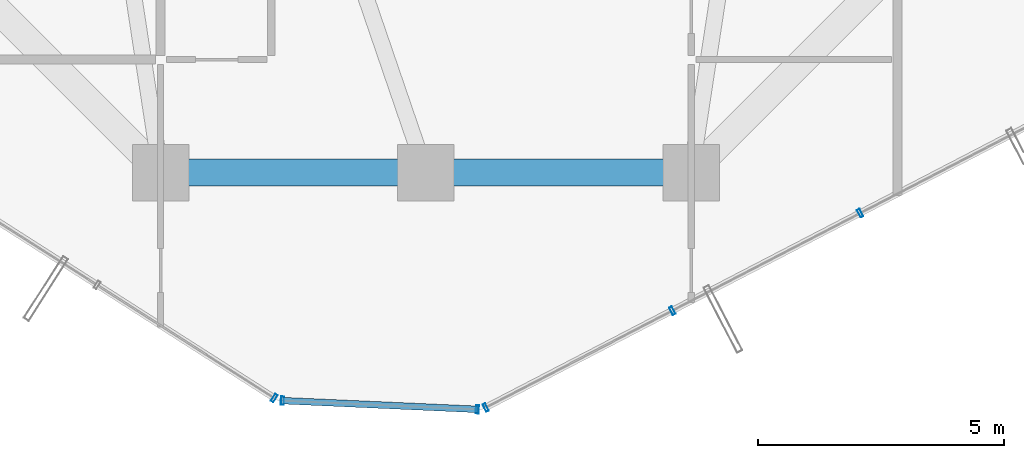
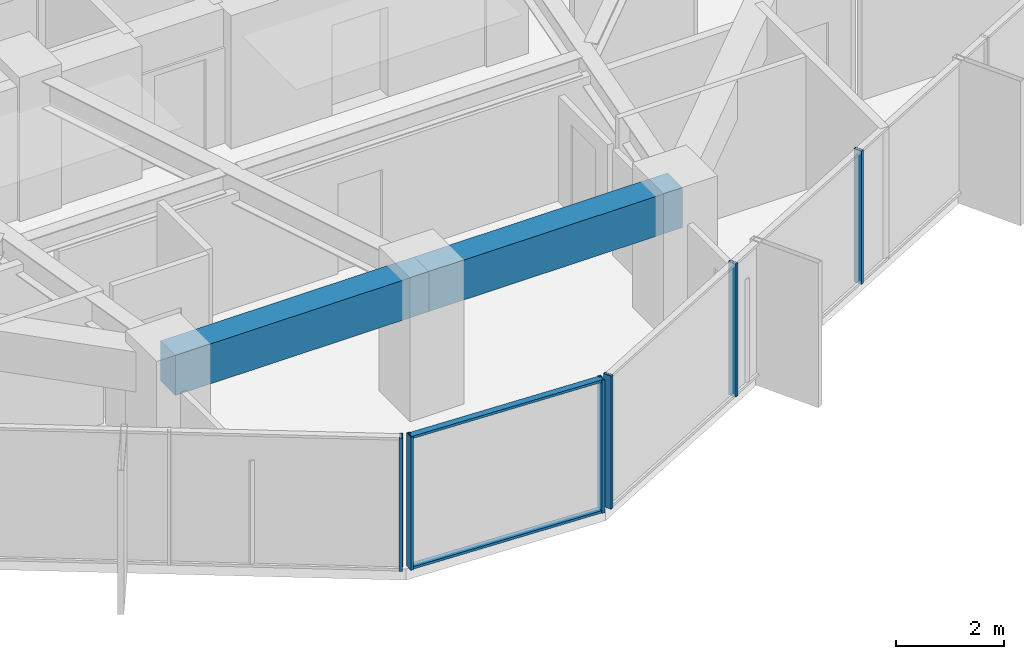
# One storey, part 6 of 30: 8 members, 2 beams, 3 elements without a shape of their own.
"""IFC4 building model written with IfcOpenShell, lengths in metres."""

import ifcopenshell
import ifcopenshell.guid

model = None  # the IFC model being written
_history = None  # IfcOwnerHistory: only IFC2X3 demands one
_inside = {}  # id of a spatial element -> (the spatial element, [elements in it])
_under = {}  # id of a project, library or spatial element -> (it, [spatial elements below it])
_declared = {}  # id of a project -> (the project, [libraries it declares])
_typed = {}  # id of a type object -> (the type object, [elements of that type])
_made_of = {}  # id of a material, layer set ... -> (it, [elements and type objects made of it])


def new_model(schema):
    """Start an empty IFC model of exactly this schema.

    Asked for "IFC4X3", IfcOpenShell would pick the latest addendum, in which some entities
    have other attributes; the version numbers below select the first issue.
    IFC2X3 requires an IfcOwnerHistory on every rooted entity: one is made here for all.
    """
    global model, _history
    if schema == "IFC4X3":
        model = ifcopenshell.file(schema_version=(4, 3, 0, 0))
    else:
        model = ifcopenshell.file(schema=schema)
    _inside.clear()
    _under.clear()
    _declared.clear()
    _typed.clear()
    _made_of.clear()
    _history = None
    if model.schema == "IFC2X3":
        org = make("IfcOrganization", Name="unknown")
        user = make(
            "IfcPersonAndOrganization",
            ThePerson=make("IfcPerson", FamilyName="unknown"),
            TheOrganization=org,
        )
        app = make(
            "IfcApplication",
            ApplicationDeveloper=org,
            Version="unknown",
            ApplicationFullName="unknown",
            ApplicationIdentifier="unknown",
        )
        _history = make(
            "IfcOwnerHistory",
            OwningUser=user,
            OwningApplication=app,
            ChangeAction="ADDED",
            CreationDate=0,
        )
    return model


def make(cls, **values):
    """One entity of the class cls with the attributes given. An attribute that is None is left unset."""
    return model.create_entity(
        cls, **{name: value for name, value in values.items() if value is not None}
    )


def rooted(cls, **values):
    """An entity with a GlobalId (a new one), such as an element, a storey or a relation."""
    return make(cls, GlobalId=ifcopenshell.guid.new(), OwnerHistory=_history, **values)


def si_unit(unit_type, name, prefix=None):
    """IfcSIUnit, for example si_unit("LENGTHUNIT", "METRE", prefix="MILLI")."""
    return make("IfcSIUnit", UnitType=unit_type, Prefix=prefix, Name=name)


def assignment(units):
    """IfcUnitAssignment: the units of a project."""
    return None if units is None else make("IfcUnitAssignment", Units=units)


def point(xyz):
    """IfcCartesianPoint."""
    return None if xyz is None else make("IfcCartesianPoint", Coordinates=xyz)


def direction(xyz):
    """IfcDirection."""
    return None if xyz is None else make("IfcDirection", DirectionRatios=xyz)


def frame(location, z_axis=None, x_axis=None):
    """IfcAxis2Placement3D, a coordinate frame: its origin and axes. An axis left out is left unset."""
    return make(
        "IfcAxis2Placement3D",
        Location=point(location),
        Axis=direction(z_axis),
        RefDirection=direction(x_axis),
    )


def frame_2d(location, x_axis=None):
    """IfcAxis2Placement2D, a coordinate frame in the plane: its origin and x axis."""
    return make(
        "IfcAxis2Placement2D", Location=point(location), RefDirection=direction(x_axis)
    )


def origin():
    """The frame at (0, 0, 0) with its axes left unset."""
    return frame((0.0, 0.0, 0.0))


def origin_2d():
    """The frame at (0, 0) in the plane with its x axis left unset."""
    return frame_2d((0.0, 0.0))


def place(relative_to, where):
    """IfcLocalPlacement: puts the frame where relative to a parent placement (None: the world)."""
    return make(
        "IfcLocalPlacement", PlacementRelTo=relative_to, RelativePlacement=where
    )


def context(
    kind, dimensions, precision=None, world=None, true_north=None, identifier=None
):
    """IfcGeometricRepresentationContext, for example the 3D "Model" context."""
    return make(
        "IfcGeometricRepresentationContext",
        ContextIdentifier=identifier,
        ContextType=kind,
        CoordinateSpaceDimension=dimensions,
        Precision=precision,
        WorldCoordinateSystem=world,
        TrueNorth=true_north,
    )


def subcontext(parent, identifier, kind, view, scale=None):
    """IfcGeometricRepresentationSubContext, for example "Body" below "Model"."""
    return make(
        "IfcGeometricRepresentationSubContext",
        ContextIdentifier=identifier,
        ContextType=kind,
        ParentContext=parent,
        TargetScale=scale,
        TargetView=view,
    )


def project(units=None, contexts=None):
    """IfcProject with its units and contexts."""
    return rooted(
        "IfcProject",
        Name="project",
        RepresentationContexts=contexts,
        UnitsInContext=assignment(units),
    )


def spatial(cls, under=None, at=None, **own):
    """A site, building, storey or space (cls), placed at a placement, below another one or the project."""
    s = rooted(cls, ObjectPlacement=at, **own)
    if under is not None:
        _under.setdefault(under.id(), (under, []))[1].append(s)
    return s


def profile(cls, at=None, kind="AREA", **sizes):
    """A parametric profile (cls). Its sizes go by their IFC names, for example OverallWidth=200.0."""
    return make(cls, ProfileType=kind, Position=at, **sizes)


def rectangle(**sizes):
    """IfcRectangleProfileDef."""
    return profile("IfcRectangleProfileDef", **sizes)


def hollow_rectangle(**sizes):
    """IfcRectangleHollowProfileDef."""
    return profile("IfcRectangleHollowProfileDef", **sizes)


def extrude(swept, where, along, depth):
    """IfcExtrudedAreaSolid: the profile swept, set in the frame where, extruded along a direction by depth."""
    return make(
        "IfcExtrudedAreaSolid",
        SweptArea=swept,
        Position=where,
        ExtrudedDirection=direction(along),
        Depth=depth,
    )


def shape(context_of_items, identifier, shape_type, items):
    """IfcShapeRepresentation: the items that make up one representation, for example the "Body"."""
    return make(
        "IfcShapeRepresentation",
        ContextOfItems=context_of_items,
        RepresentationIdentifier=identifier,
        RepresentationType=shape_type,
        Items=items,
    )


def source(mapping_origin, context_of_items, identifier, shape_type, items):
    """IfcRepresentationMap: a shape defined once, which mapped items show again and again."""
    return make(
        "IfcRepresentationMap",
        MappingOrigin=mapping_origin,
        MappedRepresentation=shape(context_of_items, identifier, shape_type, items),
    )


def transform(
    local_origin,
    x_axis=None,
    y_axis=None,
    z_axis=None,
    scale=None,
    scale2=None,
    scale3=None,
    uniform=True,
):
    """IfcCartesianTransformationOperator3D, or its non-uniform kind. x_axis, y_axis, z_axis: its Axis1, 2, 3."""
    if uniform:
        return make(
            "IfcCartesianTransformationOperator3D",
            Axis1=direction(x_axis),
            Axis2=direction(y_axis),
            LocalOrigin=point(local_origin),
            Scale=scale,
            Axis3=direction(z_axis),
        )
    return make(
        "IfcCartesianTransformationOperator3DnonUniform",
        Axis1=direction(x_axis),
        Axis2=direction(y_axis),
        LocalOrigin=point(local_origin),
        Scale=scale,
        Axis3=direction(z_axis),
        Scale2=scale2,
        Scale3=scale3,
    )


def mapped(mapping_source, mapping_target):
    """IfcMappedItem: shows the shape of a source again, moved by a transform."""
    return make(
        "IfcMappedItem", MappingSource=mapping_source, MappingTarget=mapping_target
    )


def material(Name=None, Category=None):
    """IfcMaterial."""
    return make("IfcMaterial", Name=Name, Category=Category)


def layer(
    of_material, thickness, ventilated=None, Name=None, Category=None, Priority=None
):
    """IfcMaterialLayer: one layer of a wall or slab, of a material (None: an air gap)."""
    return make(
        "IfcMaterialLayer",
        Material=of_material,
        LayerThickness=thickness,
        IsVentilated=ventilated,
        Name=Name,
        Category=Category,
        Priority=Priority,
    )


def layer_set(layers, Name=None):
    """IfcMaterialLayerSet."""
    return make("IfcMaterialLayerSet", MaterialLayers=layers, LayerSetName=Name)


def material_profile(
    of_material, cross_section, Name=None, Category=None, Priority=None
):
    """IfcMaterialProfile: a cross section and its material."""
    return make(
        "IfcMaterialProfile",
        Name=Name,
        Material=of_material,
        Profile=cross_section,
        Priority=Priority,
        Category=Category,
    )


def profile_set(profiles, Name=None, composite=None):
    """IfcMaterialProfileSet."""
    return make(
        "IfcMaterialProfileSet",
        Name=Name,
        MaterialProfiles=profiles,
        CompositeProfile=composite,
    )


def made_of(thing, what):
    """Note that an element or type object is made of a material, layer set ...; save() writes the relation."""
    if what is not None:
        _made_of.setdefault(what.id(), (what, []))[1].append(thing)
    return thing


def type_object(cls, material=None, **own):
    """A type object (cls), such as IfcWallType, which elements share."""
    return made_of(rooted(cls, **own), material)


def element(
    cls,
    number,
    at=None,
    inside=None,
    cuts=None,
    type_object=None,
    material=None,
    context=None,
    identifier="Body",
    shape_type=None,
    held_by="IfcProductDefinitionShape",
    body=None,
    shapes=None,
    **own,
):
    """One element of the class cls, such as IfcWall. Its Tag is "e" and its number.

    at: its placement. inside: the storey or other place that contains it. cuts: it is an
    opening in that element (IfcRelVoidsElement). A single representation is given by context,
    identifier, shape_type and body (its items); several are given by shapes. held_by: the class
    of the entity that holds the representations. save() writes the other relations.
    """
    e = rooted(cls, Tag="e%d" % number, ObjectPlacement=at, **own)
    if body is not None:
        shapes = [shape(context, identifier, shape_type, body)]
    if shapes is not None:
        e.Representation = make(held_by, Representations=shapes)
    if inside is not None:
        _inside.setdefault(inside.id(), (inside, []))[1].append(e)
    if cuts is not None:
        rooted(
            "IfcRelVoidsElement", RelatingBuildingElement=cuts, RelatedOpeningElement=e
        )
    if type_object is not None:
        _typed.setdefault(type_object.id(), (type_object, []))[1].append(e)
    return made_of(e, material)


def aggregate(whole, parts):
    """IfcRelAggregates: a whole, such as a stair, and the parts it consists of."""
    return rooted("IfcRelAggregates", RelatingObject=whole, RelatedObjects=parts)


def save(model, path):
    """Write the relations noted so far, then the file.

    IfcRelAggregates (storeys below a building ...), IfcRelContainedInSpatialStructure (elements
    in a storey), IfcRelDefinesByType, IfcRelAssociatesMaterial and IfcRelDeclares: one each for
    every whole, place, type object, material and project.
    """
    for whole, parts in _under.values():
        aggregate(whole, parts)
    for where, things in _inside.values():
        rooted(
            "IfcRelContainedInSpatialStructure",
            RelatedElements=things,
            RelatingStructure=where,
        )
    for kind, things in _typed.values():
        rooted("IfcRelDefinesByType", RelatedObjects=things, RelatingType=kind)
    for what, things in _made_of.values():
        rooted("IfcRelAssociatesMaterial", RelatedObjects=things, RelatingMaterial=what)
    for by, libraries in _declared.values():
        rooted("IfcRelDeclares", RelatingContext=by, RelatedDefinitions=libraries)
    model.write(path)


model = new_model("IFC4")

# Units and contexts
model_context = context("Model", 3, precision=1e-05, world=origin(), true_north=direction((0.0, 1.0)))
body_context = subcontext(model_context, "Body", "Model", "MODEL_VIEW")
ifc_project = project(units=[si_unit("LENGTHUNIT", "METRE"), si_unit("AREAUNIT", "SQUARE_METRE"), si_unit("VOLUMEUNIT", "CUBIC_METRE"), si_unit("PLANEANGLEUNIT", "RADIAN"), si_unit("MASSUNIT", "GRAM", prefix="KILO")], contexts=[model_context])

# Site, building, storey
site_placement = place(None, origin())
site = spatial("IfcSite", under=ifc_project, at=site_placement, CompositionType="ELEMENT")
building_placement = place(site_placement, origin())
building = spatial("IfcBuilding", under=site, at=building_placement, Name="Veraguas Prism Commons", CompositionType="ELEMENT")
storey_placement = place(building_placement, frame((0.0, 0.0, 119.75)))
storey = spatial("IfcBuildingStorey", under=building, at=storey_placement, Name="L33", CompositionType="ELEMENT", Elevation=119.75)

# Beams
ifc_material_1 = material(Name="Concrete C50/60", Category="concrete")
ifc_material_profile_1 = material_profile(ifc_material_1, rectangle(XDim=0.550048828125, YDim=0.89990234375, at=origin_2d()), Name="RC550X900")
ifc_profile_set_1 = profile_set([ifc_material_profile_1], Name="Concrete C50/60")
beam_type = type_object("IfcBeamType", Name="Perimeter Spandrel Lower RC 550x900", PredefinedType="SPANDREL", material=ifc_profile_set_1)
for number, where, z_axis, x_axis, name in (
    (1, (18.60009765625, 7.800048828125, 2.550048828125), (1.0, 0.0, 0.0), (0.0, 1.0, 0.0), "Perimeter Spandrel Beam L33-SP10"),
    (2, (24.0, 7.800048828125, 2.550048828125), (1.0, 0.0, 0.0), (0.0, 1.0, 0.0), "Perimeter Spandrel Beam L33-SP11"),
):
    element("IfcBeam", number, at=place(storey_placement, frame(where, z_axis=z_axis, x_axis=x_axis)), inside=storey, type_object=beam_type, Name=name, PredefinedType="SPANDREL", context=body_context, shape_type="SweptSolid", body=[
        extrude(rectangle(XDim=0.550048828125, YDim=0.89990234375, at=origin_2d()), origin(), (0.0, 0.0, 1.0), 5.39990234375),
    ])

# Curtain wall, member
ifc_material_2 = material(Name="Anodised aluminium EN AW-6063 T6", Category="aluminium")
ifc_layer = layer(ifc_material_2, 0.169921875, Name="Unitised Flush Curtain Wall Zone 2", Category="aluminium")
ifc_layer_set = layer_set([ifc_layer], Name="Anodised aluminium EN AW-6063 T6")
curtain_wall_type = type_object("IfcCurtainWallType", Name="Unitised Flush Curtain Wall Zone 2", PredefinedType="NOTDEFINED", material=ifc_layer_set)
curtain_wall_1_placement = place(storey_placement, origin())
curtain_wall_1 = element("IfcCurtainWall", 3, at=curtain_wall_1_placement, inside=storey, type_object=curtain_wall_type, Name="Tower Facade Curtain Wall L33-F4", PredefinedType="NOTDEFINED")
ifc_material_profile_2 = material_profile(ifc_material_2, hollow_rectangle(XDim=0.06005859375, YDim=0.169921875, WallThickness=0.00390625, at=origin_2d()), Name="AL60X170X4")
ifc_profile_set_2 = profile_set([ifc_material_profile_2], Name="Anodised aluminium EN AW-6063 T6")
member_type_1 = type_object("IfcMemberType", Name="Curtain Wall Mullion Lower AL 60x170x4", PredefinedType="MULLION", material=ifc_profile_set_2)
shared_shape_1 = source(origin(), body_context, "Body", "SweptSolid", [
    extrude(hollow_rectangle(XDim=0.06005859375, YDim=0.169921875, WallThickness=0.00390625, at=origin_2d()), origin(), (0.0, 0.0, 1.0), 3.0),
])
member_1_placement = place(storey_placement, frame((20.913818359375, 3.2109375, 0.0), z_axis=(0.0, 0.0, 1.0), x_axis=(0.842827385334, -0.538183982047, 0.0)))
member_1 = element("IfcMember", 4, at=member_1_placement, type_object=member_type_1, Name="CW-Z2 Mullion 5", PredefinedType="MULLION", context=body_context, shape_type="MappedRepresentation", body=[
    mapped(shared_shape_1, transform((0.0, 0.0, 0.0), scale=1.0)),
])
aggregate(curtain_wall_1, [member_1])

# Curtain wall, members
curtain_wall_2_placement = place(storey_placement, origin())
curtain_wall_2 = element("IfcCurtainWall", 5, at=curtain_wall_2_placement, inside=storey, type_object=curtain_wall_type, Name="Tower Facade Curtain Wall L33-F5", PredefinedType="NOTDEFINED")
member_2_placement = place(storey_placement, frame((25.218505859375, 3.0185546875, 0.0), z_axis=(0.0, 0.0, 1.0), x_axis=(0.887493888749, 0.46081948465, 0.0)))
member_2 = element("IfcMember", 6, at=member_2_placement, type_object=member_type_1, Name="CW-Z2 Mullion 1", PredefinedType="MULLION", context=body_context, shape_type="MappedRepresentation", body=[
    mapped(shared_shape_1, transform((0.0, 0.0, 0.0), scale=1.0)),
])
member_3_placement = place(storey_placement, frame((29.015869140625, 4.990234375, 0.0), z_axis=(0.0, 0.0, 1.0), x_axis=(0.887493888749, 0.46081948465, 0.0)))
member_3 = element("IfcMember", 7, at=member_3_placement, type_object=member_type_1, Name="CW-Z2 Mullion 2", PredefinedType="MULLION", context=body_context, shape_type="MappedRepresentation", body=[
    mapped(shared_shape_1, transform((0.0, 0.0, 0.0), scale=1.0)),
])
member_4_placement = place(storey_placement, frame((32.839599609375, 6.9755859375, 0.0), z_axis=(0.0, 0.0, 1.0), x_axis=(0.887493888749, 0.46081948465, 0.0)))
member_4 = element("IfcMember", 8, at=member_4_placement, type_object=member_type_1, Name="CW-Z2 Mullion 3", PredefinedType="MULLION", context=body_context, shape_type="MappedRepresentation", body=[
    mapped(shared_shape_1, transform((0.0, 0.0, 0.0), scale=1.0)),
])
aggregate(curtain_wall_2, [member_2, member_3, member_4])

curtain_wall_3_placement = place(storey_placement, origin())
curtain_wall_3 = element("IfcCurtainWall", 9, at=curtain_wall_3_placement, inside=storey, type_object=curtain_wall_type, Name="Chamfer Curtain Wall L33-C5", PredefinedType="NOTDEFINED")
member_5_placement = place(storey_placement, frame((21.07958984375, 3.158447265625, 0.0), z_axis=(0.0, 0.0, 1.0), x_axis=(0.999002541303, -0.044653358993, 0.0)))
member_5 = element("IfcMember", 10, at=member_5_placement, type_object=member_type_1, Name="CW-Z2 Mullion 1", PredefinedType="MULLION", context=body_context, shape_type="MappedRepresentation", body=[
    mapped(shared_shape_1, transform((0.0, 0.0, 0.0), scale=1.0)),
])
member_6_placement = place(storey_placement, frame((25.048828125, 2.981201171875, 0.0), z_axis=(0.0, 0.0, 1.0), x_axis=(0.999002541303, -0.044653358993, 0.0)))
member_6 = element("IfcMember", 11, at=member_6_placement, type_object=member_type_1, Name="CW-Z2 Mullion 2", PredefinedType="MULLION", context=body_context, shape_type="MappedRepresentation", body=[
    mapped(shared_shape_1, transform((0.0, 0.0, 0.0), scale=1.0)),
])
ifc_material_profile_3 = material_profile(ifc_material_2, hollow_rectangle(XDim=0.054931640625, YDim=0.135009765625, WallThickness=0.0029296875, at=origin_2d()), Name="AL55X135X3")
ifc_profile_set_3 = profile_set([ifc_material_profile_3], Name="Anodised aluminium EN AW-6063 T6")
member_type_2 = type_object("IfcMemberType", Name="Curtain Wall Transom Standard AL 55x135x3", PredefinedType="USERDEFINED", material=ifc_profile_set_3)
shared_shape_2 = source(origin(), body_context, "Body", "SweptSolid", [
    extrude(hollow_rectangle(XDim=0.054931640625, YDim=0.135009765625, WallThickness=0.0029296875, at=origin_2d()), origin(), (0.0, 0.0, 1.0), 3.97314453125),
])
member_7_placement = place(storey_placement, frame((21.07958984375, 3.158447265625, 0.027587890625), z_axis=(0.999004456842, -0.044610483188, 0.0), x_axis=(0.0, 0.0, 1.0)))
member_7 = element("IfcMember", 12, at=member_7_placement, type_object=member_type_2, Name="CW-Z2 Transom 1", ObjectType="TRANSOM", PredefinedType="USERDEFINED", context=body_context, shape_type="MappedRepresentation", body=[
    mapped(shared_shape_2, transform((0.0, 0.0, 0.0), scale=1.0)),
])
member_8_placement = place(storey_placement, frame((21.07958984375, 3.158447265625, 2.972412109375), z_axis=(0.999004456842, -0.044610483188, 0.0), x_axis=(0.0, 0.0, 1.0)))
member_8 = element("IfcMember", 13, at=member_8_placement, type_object=member_type_2, Name="CW-Z2 Transom 2", ObjectType="TRANSOM", PredefinedType="USERDEFINED", context=body_context, shape_type="MappedRepresentation", body=[
    mapped(shared_shape_2, transform((0.0, 0.0, 0.0), scale=1.0)),
])
aggregate(curtain_wall_3, [member_5, member_6, member_7, member_8])

save(model, "model.ifc")
